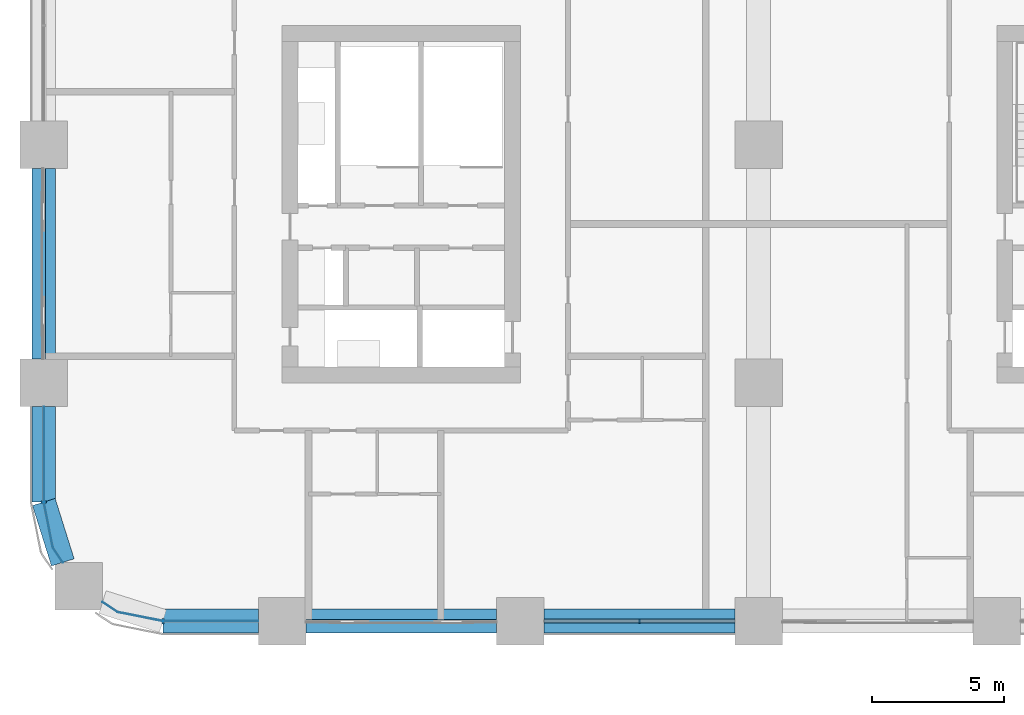
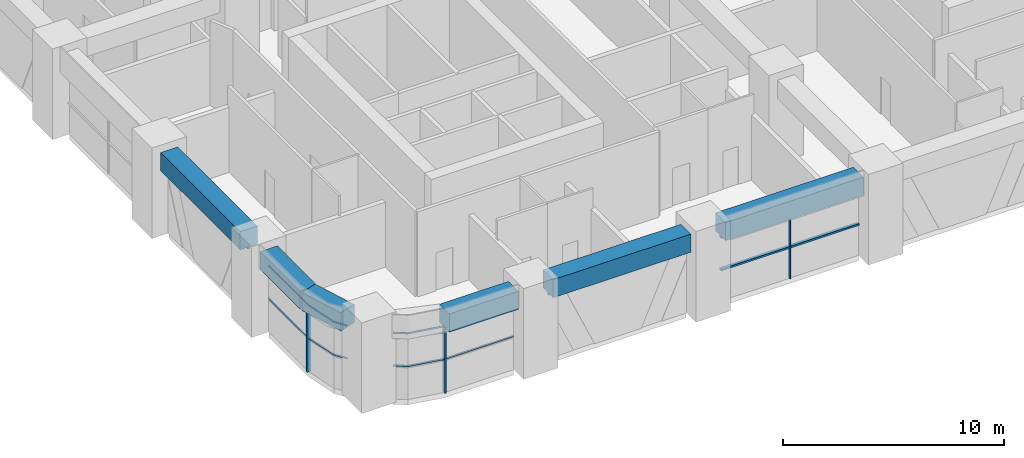
# One storey, part 2 of 26: 11 members, 6 beams, 5 elements without a shape of their own.
"""IFC4 building model written with IfcOpenShell, lengths in metres."""

from ifc_helpers import new_model, si_unit, direction, frame, origin, origin_2d, place, context, subcontext, project, spatial, polyline, rectangle, outline, extrude, material, material_profile, profile_set, type_object, element, aggregate, save


model = new_model("IFC4")

# Units and contexts
model_context = context("Model", 3, precision=1e-05, world=origin(), true_north=direction((0.0, 1.0)))
body_context = subcontext(model_context, "Body", "Model", "MODEL_VIEW")
ifc_project = project(units=[si_unit("LENGTHUNIT", "METRE"), si_unit("AREAUNIT", "SQUARE_METRE"), si_unit("VOLUMEUNIT", "CUBIC_METRE"), si_unit("PLANEANGLEUNIT", "RADIAN"), si_unit("MASSUNIT", "GRAM", prefix="KILO")], contexts=[model_context])

# Site, building, storey
site_placement = place(None, origin())
site = spatial("IfcSite", under=ifc_project, at=site_placement, CompositionType="ELEMENT")
building_placement = place(site_placement, origin())
building = spatial("IfcBuilding", under=site, at=building_placement, Name="Tessera Arch", CompositionType="ELEMENT")
storey_placement = place(building_placement, frame((0.0, 0.0, 72.800048828125)))
storey = spatial("IfcBuildingStorey", under=building, at=storey_placement, Name="L16", CompositionType="ELEMENT", Elevation=72.800048828125)

# Curtain wall, members
ifc_material_1 = material(Name="CW1 curtain wall")
curtain_wall_type_1 = type_object("IfcCurtainWallType", Name="CW1 curtain wall", PredefinedType="NOTDEFINED", material=ifc_material_1)
curtain_wall_1_placement = place(storey_placement, origin())
curtain_wall_1 = element("IfcCurtainWall", 1, at=curtain_wall_1_placement, inside=storey, type_object=curtain_wall_type_1, Name="CW1 curtain wall S0.0/1 L16", PredefinedType="NOTDEFINED")
ifc_material_2 = material(Name="Anodised aluminium pale metal", Category="aluminium")
ifc_material_profile_1 = material_profile(ifc_material_2, rectangle(XDim=0.159912109375, YDim=0.06005859375, at=origin_2d()), Name="AL 60x160")
ifc_profile_set_1 = profile_set([ifc_material_profile_1], Name="Anodised aluminium pale metal")
member_type_1 = type_object("IfcMemberType", Name="CW1 mullion", PredefinedType="MULLION", material=ifc_profile_set_1)
member_1_placement = place(storey_placement, frame((22.5, 0.0, 0.0), z_axis=(0.0, 0.0, 1.0), x_axis=(0.0, 1.0, 0.0)))
member_1 = element("IfcMember", 2, at=member_1_placement, type_object=member_type_1, Name="CW1 mullion S0.0/1 1", PredefinedType="MULLION", context=body_context, shape_type="SweptSolid", body=[
    extrude(rectangle(XDim=0.159912109375, YDim=0.06005859375, at=origin_2d()), origin(), (0.0, 0.0, 1.0), 3.489990234375),
])
ifc_material_3 = material(Name="Anodised aluminium pale metal", Category="aluminium")
ifc_material_profile_2 = material_profile(ifc_material_3, rectangle(XDim=0.159912109375, YDim=0.10009765625, at=origin_2d()), Name="AL 160x100")
ifc_profile_set_2 = profile_set([ifc_material_profile_2], Name="Anodised aluminium pale metal")
member_type_2 = type_object("IfcMemberType", Name="CW1 transom", PredefinedType="USERDEFINED", material=ifc_profile_set_2)
member_2_placement = place(storey_placement, frame((18.89990234375, 0.0, 3.5400390625), z_axis=(1.0, 0.0, 0.0), x_axis=(0.0, 1.0, 0.0)))
member_2 = element("IfcMember", 3, at=member_2_placement, type_object=member_type_2, Name="CW1 transom S0.0/1 1.1", ObjectType="TRANSOM", PredefinedType="USERDEFINED", context=body_context, shape_type="SweptSolid", body=[
    extrude(rectangle(XDim=0.159912109375, YDim=0.10009765625, at=origin_2d()), origin(), (0.0, 0.0, 1.0), 7.2001953125),
])
member_3_placement = place(storey_placement, frame((18.89990234375, 0.0, 1.744873046875), z_axis=(1.0, 0.0, 0.0), x_axis=(0.0, 1.0, 0.0)))
member_3 = element("IfcMember", 4, at=member_3_placement, type_object=member_type_2, Name="CW1 transom S0.0/1 2.1", ObjectType="TRANSOM", PredefinedType="USERDEFINED", context=body_context, shape_type="SweptSolid", body=[
    extrude(rectangle(XDim=0.159912109375, YDim=0.10009765625, at=origin_2d()), origin(), (0.0, 0.0, 1.0), 7.2001953125),
])
aggregate(curtain_wall_1, [member_1, member_2, member_3])

# Curtain wall, member
ifc_material_4 = material(Name="CW2 curtain wall")
curtain_wall_type_2 = type_object("IfcCurtainWallType", Name="CW2 curtain wall", PredefinedType="NOTDEFINED", material=ifc_material_4)
curtain_wall_2_placement = place(storey_placement, origin())
curtain_wall_2 = element("IfcCurtainWall", 5, at=curtain_wall_2_placement, inside=storey, type_object=curtain_wall_type_2, Name="CW2 curtain wall W0.0/5 L16", PredefinedType="NOTDEFINED")
ifc_material_5 = material(Name="Anodised aluminium pale metal", Category="aluminium")
ifc_material_profile_3 = material_profile(ifc_material_5, rectangle(XDim=0.199951171875, YDim=0.080078125, at=origin_2d()), Name="AL 80x200")
ifc_profile_set_3 = profile_set([ifc_material_profile_3], Name="Anodised aluminium pale metal")
member_type_3 = type_object("IfcMemberType", Name="CW2 mullion", PredefinedType="MULLION", material=ifc_profile_set_3)
member_4_placement = place(storey_placement, frame((0.0, 4.5, 0.0), z_axis=(0.0, 0.0, 1.0), x_axis=(1.0, 0.0, 0.0)))
member_4 = element("IfcMember", 6, at=member_4_placement, type_object=member_type_3, Name="CW2 mullion W0.0/5 1", PredefinedType="MULLION", context=body_context, shape_type="SweptSolid", body=[
    extrude(rectangle(XDim=0.199951171875, YDim=0.080078125, at=origin_2d()), origin(), (0.0, 0.0, 1.0), 3.599853515625),
])

curtain_wall_3_placement = place(storey_placement, origin())
curtain_wall_3 = element("IfcCurtainWall", 7, at=curtain_wall_3_placement, inside=storey, type_object=curtain_wall_type_2, Name="CW2 curtain wall S0.0/5 L16", PredefinedType="NOTDEFINED")
member_5_placement = place(storey_placement, frame((4.5, 0.0, 0.0), z_axis=(0.0, 0.0, 1.0), x_axis=(0.0, 1.0, 0.0)))
member_5 = element("IfcMember", 8, at=member_5_placement, type_object=member_type_3, Name="CW2 mullion S0.0/5 1", PredefinedType="MULLION", context=body_context, shape_type="SweptSolid", body=[
    extrude(rectangle(XDim=0.199951171875, YDim=0.080078125, at=origin_2d()), origin(), (0.0, 0.0, 1.0), 3.599853515625),
])

# Member
ifc_material_6 = material(Name="Anodised aluminium pale metal", Category="aluminium")
ifc_material_profile_4 = material_profile(ifc_material_6, rectangle(XDim=0.199951171875, YDim=0.10009765625, at=origin_2d()), Name="AL 200x100")
ifc_profile_set_4 = profile_set([ifc_material_profile_4], Name="Anodised aluminium pale metal")
member_type_4 = type_object("IfcMemberType", Name="CW2 transom", PredefinedType="USERDEFINED", material=ifc_profile_set_4)
member_6_placement = place(storey_placement, frame((0.0, 0.0, 1.800048828125)))
member_6 = element("IfcMember", 9, at=member_6_placement, type_object=member_type_4, Name="CW2 transom W0.0/5 1", ObjectType="TRANSOM", PredefinedType="USERDEFINED", context=body_context, shape_type="SweptSolid", body=[
    extrude(outline(polyline([(0.010009765625, 4.5009765625), (0.010009765625, 8.10009765625), (-0.010009765625, 8.10009765625), (-0.010009765625, 4.4990234375), (0.3330078125, 2.77392578125), (0.70849609375, 2.21240234375), (0.72509765625, 2.2236328125), (0.351806640625, 2.78173828125), (0.010009765625, 4.5009765625)])), origin(), (0.0, 0.0, 1.0), 0.099853515625),
])

member_7_placement = place(storey_placement, frame((0.0, 0.0, 3.599853515625)))
member_7 = element("IfcMember", 10, at=member_7_placement, type_object=member_type_4, Name="CW2 transom W0.0/5 2", ObjectType="TRANSOM", PredefinedType="USERDEFINED", context=body_context, shape_type="SweptSolid", body=[
    extrude(outline(polyline([(0.010009765625, 4.5009765625), (0.010009765625, 8.10009765625), (-0.010009765625, 8.10009765625), (-0.010009765625, 4.4990234375), (0.3330078125, 2.77392578125), (0.70849609375, 2.21240234375), (0.72509765625, 2.2236328125), (0.351806640625, 2.78173828125), (0.010009765625, 4.5009765625)])), origin(), (0.0, 0.0, 1.0), 0.10009765625),
])

aggregate(curtain_wall_2, [member_4, member_6, member_7])

member_8_placement = place(storey_placement, frame((0.0, 0.0, 1.800048828125)))
member_8 = element("IfcMember", 11, at=member_8_placement, type_object=member_type_4, Name="CW2 transom S0.0/5 1", ObjectType="TRANSOM", PredefinedType="USERDEFINED", context=body_context, shape_type="SweptSolid", body=[
    extrude(outline(polyline([(2.78173828125, 0.351806640625), (2.2236328125, 0.72509765625), (2.21240234375, 0.70849609375), (2.77392578125, 0.3330078125), (4.4990234375, -0.010009765625), (8.10009765625, -0.010009765625), (8.10009765625, 0.010009765625), (4.5009765625, 0.010009765625), (2.78173828125, 0.351806640625)])), origin(), (0.0, 0.0, 1.0), 0.099853515625),
])

member_9_placement = place(storey_placement, frame((0.0, 0.0, 3.599853515625)))
member_9 = element("IfcMember", 12, at=member_9_placement, type_object=member_type_4, Name="CW2 transom S0.0/5 2", ObjectType="TRANSOM", PredefinedType="USERDEFINED", context=body_context, shape_type="SweptSolid", body=[
    extrude(outline(polyline([(2.78173828125, 0.351806640625), (2.2236328125, 0.72509765625), (2.21240234375, 0.70849609375), (2.77392578125, 0.3330078125), (4.4990234375, -0.010009765625), (8.10009765625, -0.010009765625), (8.10009765625, 0.010009765625), (4.5009765625, 0.010009765625), (2.78173828125, 0.351806640625)])), origin(), (0.0, 0.0, 1.0), 0.10009765625),
])

aggregate(curtain_wall_3, [member_5, member_8, member_9])

# Curtain wall, member
ifc_material_7 = material(Name="CW3 curtain wall")
curtain_wall_type_3 = type_object("IfcCurtainWallType", Name="CW3 curtain wall", PredefinedType="NOTDEFINED", material=ifc_material_7)
curtain_wall_4_placement = place(storey_placement, origin())
curtain_wall_4 = element("IfcCurtainWall", 13, at=curtain_wall_4_placement, inside=storey, type_object=curtain_wall_type_3, Name="CW3 curtain wall S0.0/0 L16", PredefinedType="NOTDEFINED")
ifc_material_8 = material(Name="Anodised aluminium pale metal", Category="aluminium")
ifc_material_profile_5 = material_profile(ifc_material_8, rectangle(XDim=0.139892578125, YDim=0.10009765625, at=origin_2d()), Name="AL 140x100")
ifc_profile_set_5 = profile_set([ifc_material_profile_5], Name="Anodised aluminium pale metal")
member_type_5 = type_object("IfcMemberType", Name="CW3 transom", PredefinedType="USERDEFINED", material=ifc_profile_set_5)
member_10_placement = place(storey_placement, frame((9.89990234375, 0.0, 3.5400390625), z_axis=(1.0, 0.0, 0.0), x_axis=(0.0, 1.0, 0.0)))
member_10 = element("IfcMember", 14, at=member_10_placement, type_object=member_type_5, Name="CW3 transom S0.0/0 1.1", ObjectType="TRANSOM", PredefinedType="USERDEFINED", context=body_context, shape_type="SweptSolid", body=[
    extrude(rectangle(XDim=0.139892578125, YDim=0.10009765625, at=origin_2d()), origin(), (0.0, 0.0, 1.0), 7.2001953125),
])
aggregate(curtain_wall_4, [member_10])

curtain_wall_5_placement = place(storey_placement, origin())
curtain_wall_5 = element("IfcCurtainWall", 15, at=curtain_wall_5_placement, inside=storey, type_object=curtain_wall_type_3, Name="CW3 curtain wall W0.0/4 L16", PredefinedType="NOTDEFINED")
member_11_placement = place(storey_placement, frame((0.0, 17.10009765625, 3.5400390625), z_axis=(0.0, -1.0, 0.0), x_axis=(1.0, 0.0, 0.0)))
member_11 = element("IfcMember", 16, at=member_11_placement, type_object=member_type_5, Name="CW3 transom W0.0/4 1.1", ObjectType="TRANSOM", PredefinedType="USERDEFINED", context=body_context, shape_type="SweptSolid", body=[
    extrude(rectangle(XDim=0.139892578125, YDim=0.10009765625, at=origin_2d()), origin(), (0.0, 0.0, 1.0), 7.2001953125),
])
aggregate(curtain_wall_5, [member_11])

# Beams
ifc_material_9 = material(Name="Concrete C80/95", Category="concrete")
ifc_material_profile_6 = material_profile(ifc_material_9, rectangle(XDim=0.89990234375, YDim=1.0, at=origin_2d()), Name="RC spandrel beam 900 x 1000 Concrete C80/95")
ifc_profile_set_6 = profile_set([ifc_material_profile_6], Name="Concrete C80/95")
beam_type = type_object("IfcBeamType", Name="RC spandrel beam 900 x 1000 Concrete C80/95", PredefinedType="BEAM", material=ifc_profile_set_6)
for number, where, z_axis, x_axis, name in (
    (17, (9.89990234375, 0.0, 4.08984375), (1.0, 0.0, 0.0), (0.0, 1.0, 0.0), "Spandrel beam L16 S0.0/0"),
    (18, (18.89990234375, 0.0, 4.08984375), (1.0, 0.0, 0.0), (0.0, 1.0, 0.0), "Spandrel beam L16 S0.0/1"),
    (19, (0.0, 17.10009765625, 4.08984375), (0.0, -1.0, 0.0), (1.0, 0.0, 0.0), "Spandrel beam L16 W0.0/4"),
):
    element("IfcBeam", number, at=place(storey_placement, frame(where, z_axis=z_axis, x_axis=x_axis)), inside=storey, type_object=beam_type, Name=name, PredefinedType="BEAM", context=body_context, shape_type="SweptSolid", body=[
        extrude(rectangle(XDim=0.89990234375, YDim=1.0, at=origin_2d()), origin(), (0.0, 0.0, 1.0), 7.2001953125),
    ])
beam_1_placement = place(storey_placement, frame((0.0, 8.10009765625, 4.08984375), z_axis=(0.0, -1.0, 0.0), x_axis=(1.0, 0.0, 0.0)))
element("IfcBeam", 20, at=beam_1_placement, inside=storey, type_object=beam_type, Name="Spandrel beam L16 W0.0/5.1", PredefinedType="BEAM", context=body_context, shape_type="SweptSolid", body=[
    extrude(rectangle(XDim=0.89990234375, YDim=1.0, at=origin_2d()), origin(), (0.0, 0.0, 1.0), 3.60009765625),
])
beam_2_placement = place(storey_placement, frame((0.0, 4.5, 4.08984375), z_axis=(0.299675309057, -0.954041251279, 0.0), x_axis=(0.954041251279, 0.299675309057, 0.0)))
element("IfcBeam", 21, at=beam_2_placement, inside=storey, type_object=beam_type, Name="Spandrel beam L16 W0.0/5.2", PredefinedType="BEAM", context=body_context, shape_type="SweptSolid", body=[
    extrude(rectangle(XDim=0.89990234375, YDim=1.0, at=origin_2d()), origin(), (0.0, 0.0, 1.0), 2.391845703125),
])
beam_3_placement = place(storey_placement, frame((4.5, 0.0, 4.08984375), z_axis=(1.0, 0.0, 0.0), x_axis=(0.0, 1.0, 0.0)))
element("IfcBeam", 22, at=beam_3_placement, inside=storey, type_object=beam_type, Name="Spandrel beam L16 S0.0/5.2", PredefinedType="BEAM", context=body_context, shape_type="SweptSolid", body=[
    extrude(rectangle(XDim=0.89990234375, YDim=1.0, at=origin_2d()), origin(), (0.0, 0.0, 1.0), 3.60009765625),
])

save(model, "model.ifc")
